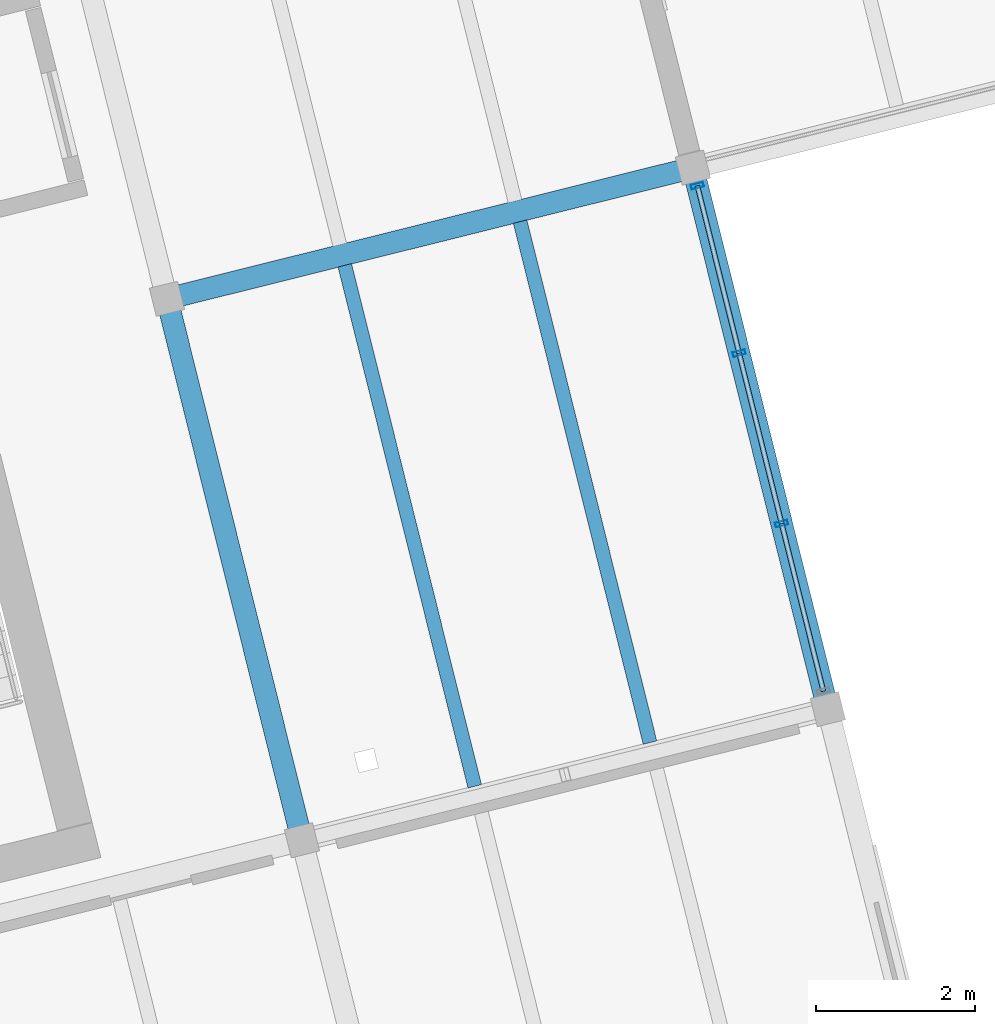
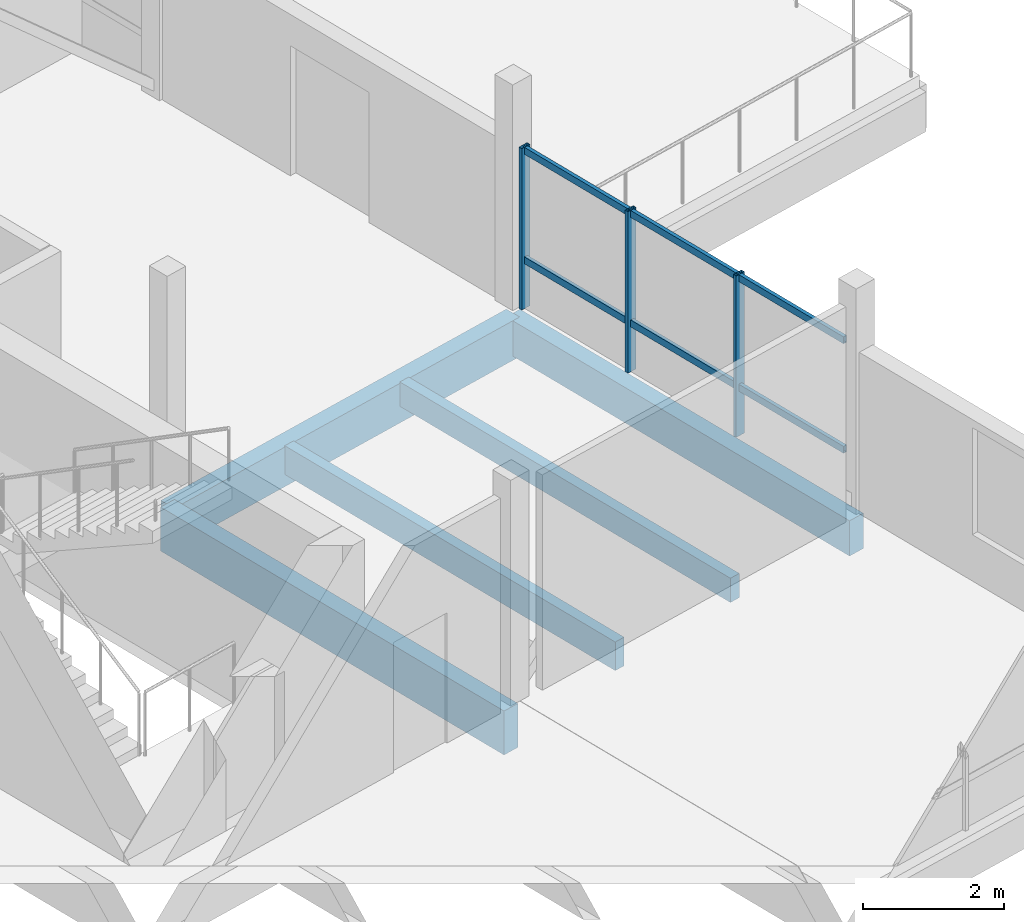
# One storey, part 16 of 28: 9 members, 5 beams, 1 element without a shape of its own.
"""IFC4 building model written with IfcOpenShell, lengths in metres."""

from ifc_helpers import new_model, si_unit, direction, frame, origin, origin_2d, place, context, subcontext, project, spatial, rectangle, hollow_rectangle, extrude, material, layer, layer_set, material_profile, profile_set, type_object, element, aggregate, save


model = new_model("IFC4")

# Units and contexts
model_context = context("Model", 3, precision=1e-05, world=origin(), true_north=direction((0.0, 1.0)))
body_context = subcontext(model_context, "Body", "Model", "MODEL_VIEW")
ifc_project = project(units=[si_unit("LENGTHUNIT", "METRE"), si_unit("AREAUNIT", "SQUARE_METRE"), si_unit("VOLUMEUNIT", "CUBIC_METRE"), si_unit("PLANEANGLEUNIT", "RADIAN"), si_unit("MASSUNIT", "GRAM", prefix="KILO")], contexts=[model_context])

# Site, building, storey
site_placement = place(None, origin())
site = spatial("IfcSite", under=ifc_project, at=site_placement, CompositionType="ELEMENT")
building_placement = place(site_placement, origin())
building = spatial("IfcBuilding", under=site, at=building_placement, Name="Meriwether Solvik Hall", CompositionType="ELEMENT")
storey_placement = place(building_placement, frame((0.0, 0.0, 45.60009765625)))
storey = spatial("IfcBuildingStorey", under=building, at=storey_placement, Name="L11", CompositionType="ELEMENT", Elevation=45.60009765625)

# Beams
ifc_material_1 = material(Name="Glulam Douglas-Fir 24F-V8 GL28h", Category="wood")
ifc_material_profile_1 = material_profile(ifc_material_1, rectangle(XDim=0.27294921875, YDim=0.610107421875, at=origin_2d()), Name="GLB-273X610")
ifc_profile_set_1 = profile_set([ifc_material_profile_1], Name="Glulam Douglas-Fir 24F-V8 GL28h")
beam_type_1 = type_object("IfcBeamType", Name="BM-GL-273X610", PredefinedType="SPANDREL", material=ifc_profile_set_1)
beam_1_placement = place(storey_placement, frame((101.885498046875, 56.507080078125, -0.525146484375), z_axis=(-0.241903692719, 0.970300264582, 0.0), x_axis=(-0.970300264582, -0.241903692719, 0.0)))
element("IfcBeam", 1, at=beam_1_placement, inside=storey, type_object=beam_type_1, Name="Tower Girder T6:TB-TC (L11)", PredefinedType="SPANDREL", context=body_context, shape_type="SweptSolid", body=[
    extrude(rectangle(XDim=0.27294921875, YDim=0.610107421875, at=origin_2d()), origin(), (0.0, 0.0, 1.0), 7.000244140625),
])
ifc_material_2 = material(Name="Glulam Douglas-Fir 24F-V8 GL28h", Category="wood")
ifc_material_profile_2 = material_profile(ifc_material_2, rectangle(XDim=0.27294921875, YDim=0.68505859375, at=origin_2d()), Name="GLB-273X685")
ifc_profile_set_2 = profile_set([ifc_material_profile_2], Name="Glulam Douglas-Fir 24F-V8 GL28h")
beam_type_2 = type_object("IfcBeamType", Name="BM-GL-273X685", PredefinedType="BEAM", material=ifc_profile_set_2)
beam_2_placement = place(storey_placement, frame((93.593994140625, 61.654296875, -0.5625), z_axis=(0.970298579828, 0.24191045034, 0.0), x_axis=(-0.24191045034, 0.970298579828, 0.0)))
element("IfcBeam", 2, at=beam_2_placement, inside=storey, type_object=beam_type_2, Name="Tower Girder TC:T5-T6 (L11)", PredefinedType="BEAM", context=body_context, shape_type="SweptSolid", body=[
    extrude(rectangle(XDim=0.27294921875, YDim=0.68505859375, at=origin_2d()), origin(), (0.0, 0.0, 1.0), 6.800048828125),
])
ifc_material_3 = material(Name="Glulam Douglas-Fir 24F-V8 GL28h", Category="wood")
ifc_material_profile_3 = material_profile(ifc_material_3, rectangle(XDim=0.27294921875, YDim=0.760009765625, at=origin_2d()), Name="GLB-273X760")
ifc_profile_set_3 = profile_set([ifc_material_profile_3], Name="Glulam Douglas-Fir 24F-V8 GL28h")
beam_type_3 = type_object("IfcBeamType", Name="BM-GL-273X760", PredefinedType="BEAM", material=ifc_profile_set_3)
beam_3_placement = place(storey_placement, frame((95.28759765625, 54.862060546875, -0.580078125), z_axis=(-0.241936527961, 0.970292077901, 0.0), x_axis=(-0.970292077901, -0.241936527961, 0.0)))
element("IfcBeam", 3, at=beam_3_placement, inside=storey, type_object=beam_type_3, Name="Tower Girder T5:TB-TC (L11)", PredefinedType="BEAM", context=body_context, shape_type="SweptSolid", body=[
    extrude(rectangle(XDim=0.27294921875, YDim=0.760009765625, at=origin_2d()), origin(), (0.0, 0.0, 1.0), 7.000244140625),
])

# Curtain wall, members
ifc_material_4 = material(Name="Thermally Broken Anodised Aluminium 6063-T6 and Low-E Glass", Category="aluminium")
ifc_layer = layer(ifc_material_4, 0.179931640625)
ifc_layer_set = layer_set([ifc_layer], Name="Thermally Broken Anodised Aluminium 6063-T6 and Low-E Glass")
curtain_wall_type = type_object("IfcCurtainWallType", Name="CW-UNIT-D", PredefinedType="USERDEFINED", material=ifc_layer_set)
curtain_wall_placement = place(storey_placement, origin())
curtain_wall = element("IfcCurtainWall", 4, at=curtain_wall_placement, inside=storey, type_object=curtain_wall_type, Name="Curtain Wall E1_B1 (L11)", ObjectType="UNITISED CURTAIN WALL", PredefinedType="USERDEFINED")
ifc_material_5 = material(Name="Anodised Aluminium 6063-T6", Category="aluminium")
ifc_material_profile_4 = material_profile(ifc_material_5, hollow_rectangle(XDim=0.06005859375, YDim=0.159912109375, WallThickness=0.00390625, at=origin_2d()), Name="CWM-60X160")
ifc_profile_set_4 = profile_set([ifc_material_profile_4], Name="Anodised Aluminium 6063-T6")
member_type_1 = type_object("IfcMemberType", Name="CW-MUL-60X160", PredefinedType="MULLION", material=ifc_profile_set_4)
member_1_placement = place(storey_placement, frame((100.248291015625, 63.07373046875, 0.0), z_axis=(0.0, 0.0, 1.0), x_axis=(0.241921804422, -0.970295749009, 0.0)))
member_1 = element("IfcMember", 5, at=member_1_placement, type_object=member_type_1, Name="Curtain Wall Mullion 1", PredefinedType="MULLION", context=body_context, shape_type="SweptSolid", body=[
    extrude(hollow_rectangle(XDim=0.06005859375, YDim=0.159912109375, WallThickness=0.00390625, at=origin_2d()), origin(), (0.0, 0.0, 1.0), 2.789794921875),
])
member_2_placement = place(storey_placement, frame((100.772216796875, 60.972412109375, 0.0), z_axis=(0.0, 0.0, 1.0), x_axis=(0.241921804422, -0.970295749009, 0.0)))
member_2 = element("IfcMember", 6, at=member_2_placement, type_object=member_type_1, Name="Curtain Wall Mullion 2", PredefinedType="MULLION", context=body_context, shape_type="SweptSolid", body=[
    extrude(hollow_rectangle(XDim=0.06005859375, YDim=0.159912109375, WallThickness=0.00390625, at=origin_2d()), origin(), (0.0, 0.0, 1.0), 2.789794921875),
])
member_3_placement = place(storey_placement, frame((101.305419921875, 58.834228515625, 0.0), z_axis=(0.0, 0.0, 1.0), x_axis=(0.241921804422, -0.970295749009, 0.0)))
member_3 = element("IfcMember", 7, at=member_3_placement, type_object=member_type_1, Name="Curtain Wall Mullion 3", PredefinedType="MULLION", context=body_context, shape_type="SweptSolid", body=[
    extrude(hollow_rectangle(XDim=0.06005859375, YDim=0.159912109375, WallThickness=0.00390625, at=origin_2d()), origin(), (0.0, 0.0, 1.0), 2.789794921875),
])
ifc_material_6 = material(Name="Anodised Aluminium 6063-T6", Category="aluminium")
ifc_material_profile_5 = material_profile(ifc_material_6, hollow_rectangle(XDim=0.06005859375, YDim=0.1201171875, WallThickness=0.00390625, at=origin_2d()), Name="CWT-60X120")
ifc_profile_set_5 = profile_set([ifc_material_profile_5], Name="Anodised Aluminium 6063-T6")
member_type_2 = type_object("IfcMemberType", Name="CW-TRN-60X120", PredefinedType="USERDEFINED", material=ifc_profile_set_5)
member_4_placement = place(storey_placement, frame((100.248291015625, 63.07373046875, 0.8369140625), z_axis=(0.241925491414, -0.970294829732, 0.0), x_axis=(0.970294829732, 0.241925491414, 0.0)))
member_4 = element("IfcMember", 8, at=member_4_placement, type_object=member_type_2, Name="Curtain Wall Transom 1-sill", ObjectType="TRANSOM", PredefinedType="USERDEFINED", context=body_context, shape_type="SweptSolid", body=[
    extrude(hollow_rectangle(XDim=0.06005859375, YDim=0.1201171875, WallThickness=0.00390625, at=origin_2d()), origin(), (0.0, 0.0, 1.0), 2.16552734375),
])
member_5_placement = place(storey_placement, frame((100.248291015625, 63.07373046875, 2.72998046875), z_axis=(0.241925491414, -0.970294829732, 0.0), x_axis=(0.970294829732, 0.241925491414, 0.0)))
member_5 = element("IfcMember", 9, at=member_5_placement, type_object=member_type_2, Name="Curtain Wall Transom 1-head", ObjectType="TRANSOM", PredefinedType="USERDEFINED", context=body_context, shape_type="SweptSolid", body=[
    extrude(hollow_rectangle(XDim=0.06005859375, YDim=0.1201171875, WallThickness=0.00390625, at=origin_2d()), origin(), (0.0, 0.0, 1.0), 2.16552734375),
])
member_6_placement = place(storey_placement, frame((100.772216796875, 60.972412109375, 0.8369140625), z_axis=(0.241962089235, -0.970285703993, 0.0), x_axis=(0.970285703993, 0.241962089235, 0.0)))
member_6 = element("IfcMember", 10, at=member_6_placement, type_object=member_type_2, Name="Curtain Wall Transom 2-sill", ObjectType="TRANSOM", PredefinedType="USERDEFINED", context=body_context, shape_type="SweptSolid", body=[
    extrude(hollow_rectangle(XDim=0.06005859375, YDim=0.1201171875, WallThickness=0.00390625, at=origin_2d()), origin(), (0.0, 0.0, 1.0), 2.20361328125),
])
member_7_placement = place(storey_placement, frame((100.772216796875, 60.972412109375, 2.72998046875), z_axis=(0.241962089235, -0.970285703993, 0.0), x_axis=(0.970285703993, 0.241962089235, 0.0)))
member_7 = element("IfcMember", 11, at=member_7_placement, type_object=member_type_2, Name="Curtain Wall Transom 2-head", ObjectType="TRANSOM", PredefinedType="USERDEFINED", context=body_context, shape_type="SweptSolid", body=[
    extrude(hollow_rectangle(XDim=0.06005859375, YDim=0.1201171875, WallThickness=0.00390625, at=origin_2d()), origin(), (0.0, 0.0, 1.0), 2.20361328125),
])
member_8_placement = place(storey_placement, frame((101.305419921875, 58.834228515625, 0.8369140625), z_axis=(0.241925491414, -0.970294829732, 0.0), x_axis=(0.970294829732, 0.241925491414, 0.0)))
member_8 = element("IfcMember", 12, at=member_8_placement, type_object=member_type_2, Name="Curtain Wall Transom 3-sill", ObjectType="TRANSOM", PredefinedType="USERDEFINED", context=body_context, shape_type="SweptSolid", body=[
    extrude(hollow_rectangle(XDim=0.06005859375, YDim=0.1201171875, WallThickness=0.00390625, at=origin_2d()), origin(), (0.0, 0.0, 1.0), 2.16552734375),
])
member_9_placement = place(storey_placement, frame((101.305419921875, 58.834228515625, 2.72998046875), z_axis=(0.241925491414, -0.970294829732, 0.0), x_axis=(0.970294829732, 0.241925491414, 0.0)))
member_9 = element("IfcMember", 13, at=member_9_placement, type_object=member_type_2, Name="Curtain Wall Transom 3-head", ObjectType="TRANSOM", PredefinedType="USERDEFINED", context=body_context, shape_type="SweptSolid", body=[
    extrude(hollow_rectangle(XDim=0.06005859375, YDim=0.1201171875, WallThickness=0.00390625, at=origin_2d()), origin(), (0.0, 0.0, 1.0), 2.16552734375),
])
aggregate(curtain_wall, [member_1, member_2, member_3, member_4, member_5, member_6, member_7, member_8, member_9])

# Beams
ifc_material_7 = material(Name="Glulam Douglas-Fir 24F-V8 GL28h", Category="wood")
ifc_material_profile_6 = material_profile(ifc_material_7, rectangle(XDim=0.175048828125, YDim=0.419921875, at=origin_2d()), Name="GLJ-175X420")
ifc_profile_set_6 = profile_set([ifc_material_profile_6], Name="Glulam Douglas-Fir 24F-V8 GL28h")
beam_type_4 = type_object("IfcBeamType", Name="JST-GL-175X420", PredefinedType="JOIST", material=ifc_profile_set_6)
beam_4_placement = place(storey_placement, frame((99.654296875, 56.08642578125, -0.41015625), z_axis=(-0.241896058636, 0.970302167789, 0.0), x_axis=(-0.970302167789, -0.241896058636, 0.0)))
element("IfcBeam", 14, at=beam_4_placement, inside=storey, type_object=beam_type_4, Name="Glulam Floor Joist T5/TB-J2 (L11)", PredefinedType="JOIST", context=body_context, shape_type="SweptSolid", body=[
    extrude(rectangle(XDim=0.175048828125, YDim=0.419921875, at=origin_2d()), origin(), (0.0, 0.0, 1.0), 6.73681640625),
])
ifc_material_8 = material(Name="Glulam Douglas-Fir 24F-V8 GL28h", Category="wood")
ifc_material_profile_7 = material_profile(ifc_material_8, rectangle(XDim=0.175048828125, YDim=0.4951171875, at=origin_2d()), Name="GLJ-175X495")
ifc_profile_set_7 = profile_set([ifc_material_profile_7], Name="Glulam Douglas-Fir 24F-V8 GL28h")
beam_type_5 = type_object("IfcBeamType", Name="JST-GL-175X495", PredefinedType="JOIST", material=ifc_profile_set_7)
beam_5_placement = place(storey_placement, frame((97.455078125, 55.5380859375, -0.447509765625), z_axis=(-0.241930176813, 0.9702936615, 0.0), x_axis=(-0.9702936615, -0.241930176813, 0.0)))
element("IfcBeam", 15, at=beam_5_placement, inside=storey, type_object=beam_type_5, Name="Glulam Floor Joist T5/TB-J1 (L11)", PredefinedType="JOIST", context=body_context, shape_type="SweptSolid", body=[
    extrude(rectangle(XDim=0.175048828125, YDim=0.4951171875, at=origin_2d()), origin(), (0.0, 0.0, 1.0), 6.737060546875),
])

save(model, "model.ifc")
